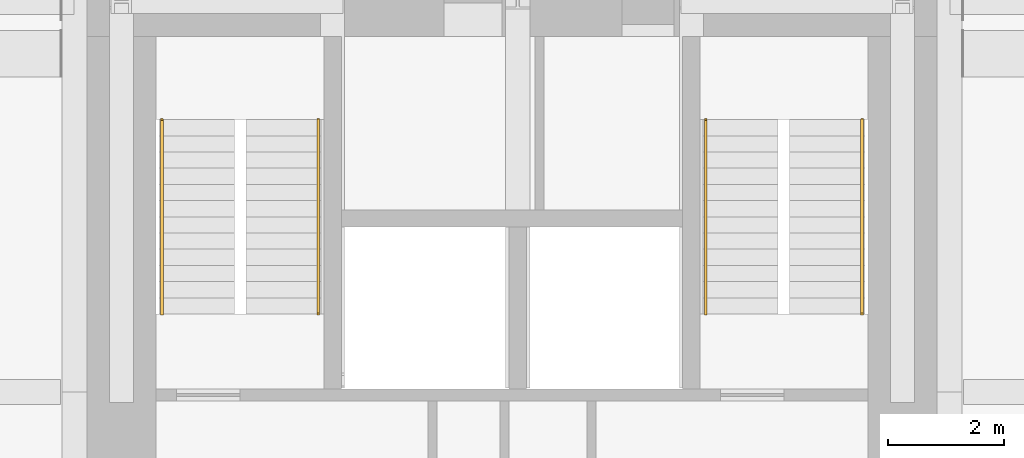
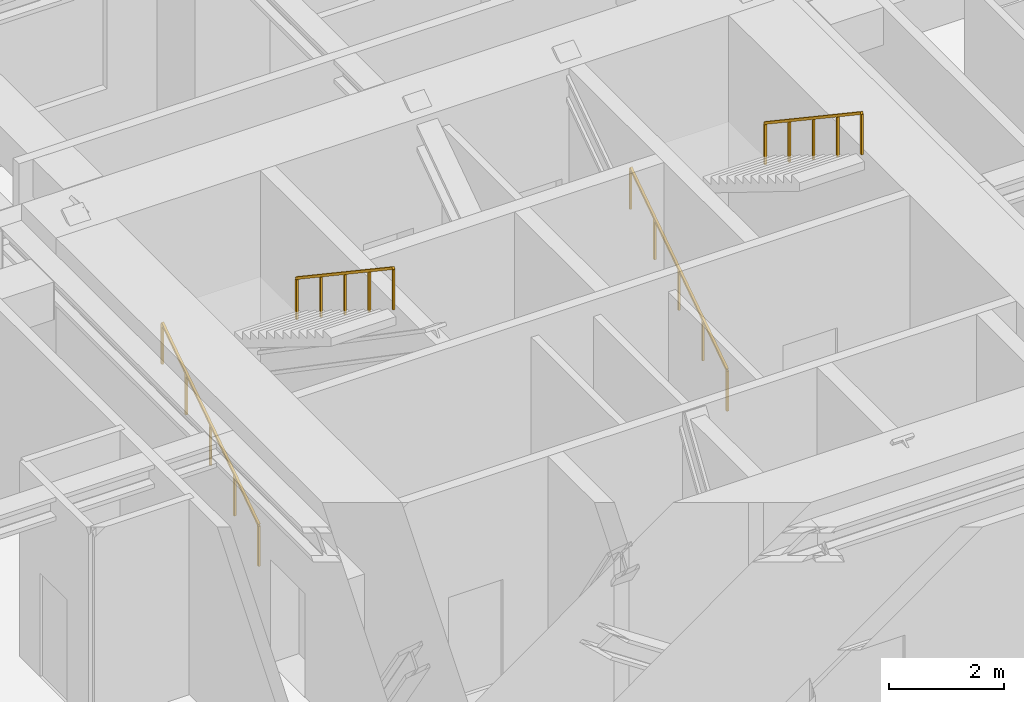
# One storey, part 6 of 6: 4 railings.
"""IFC4 building model written with IfcOpenShell, lengths in metres."""

import ifcopenshell
import ifcopenshell.guid

model = None  # the IFC model being written
_history = None  # IfcOwnerHistory: only IFC2X3 demands one
_inside = {}  # id of a spatial element -> (the spatial element, [elements in it])
_under = {}  # id of a project, library or spatial element -> (it, [spatial elements below it])
_declared = {}  # id of a project -> (the project, [libraries it declares])
_typed = {}  # id of a type object -> (the type object, [elements of that type])
_made_of = {}  # id of a material, layer set ... -> (it, [elements and type objects made of it])


def new_model(schema):
    """Start an empty IFC model of exactly this schema.

    Asked for "IFC4X3", IfcOpenShell would pick the latest addendum, in which some entities
    have other attributes; the version numbers below select the first issue.
    IFC2X3 requires an IfcOwnerHistory on every rooted entity: one is made here for all.
    """
    global model, _history
    if schema == "IFC4X3":
        model = ifcopenshell.file(schema_version=(4, 3, 0, 0))
    else:
        model = ifcopenshell.file(schema=schema)
    _inside.clear()
    _under.clear()
    _declared.clear()
    _typed.clear()
    _made_of.clear()
    _history = None
    if model.schema == "IFC2X3":
        org = make("IfcOrganization", Name="unknown")
        user = make(
            "IfcPersonAndOrganization",
            ThePerson=make("IfcPerson", FamilyName="unknown"),
            TheOrganization=org,
        )
        app = make(
            "IfcApplication",
            ApplicationDeveloper=org,
            Version="unknown",
            ApplicationFullName="unknown",
            ApplicationIdentifier="unknown",
        )
        _history = make(
            "IfcOwnerHistory",
            OwningUser=user,
            OwningApplication=app,
            ChangeAction="ADDED",
            CreationDate=0,
        )
    return model


def make(cls, **values):
    """One entity of the class cls with the attributes given. An attribute that is None is left unset."""
    return model.create_entity(
        cls, **{name: value for name, value in values.items() if value is not None}
    )


def rooted(cls, **values):
    """An entity with a GlobalId (a new one), such as an element, a storey or a relation."""
    return make(cls, GlobalId=ifcopenshell.guid.new(), OwnerHistory=_history, **values)


def si_unit(unit_type, name, prefix=None):
    """IfcSIUnit, for example si_unit("LENGTHUNIT", "METRE", prefix="MILLI")."""
    return make("IfcSIUnit", UnitType=unit_type, Prefix=prefix, Name=name)


def assignment(units):
    """IfcUnitAssignment: the units of a project."""
    return None if units is None else make("IfcUnitAssignment", Units=units)


def point(xyz):
    """IfcCartesianPoint."""
    return None if xyz is None else make("IfcCartesianPoint", Coordinates=xyz)


def direction(xyz):
    """IfcDirection."""
    return None if xyz is None else make("IfcDirection", DirectionRatios=xyz)


def frame(location, z_axis=None, x_axis=None):
    """IfcAxis2Placement3D, a coordinate frame: its origin and axes. An axis left out is left unset."""
    return make(
        "IfcAxis2Placement3D",
        Location=point(location),
        Axis=direction(z_axis),
        RefDirection=direction(x_axis),
    )


def frame_2d(location, x_axis=None):
    """IfcAxis2Placement2D, a coordinate frame in the plane: its origin and x axis."""
    return make(
        "IfcAxis2Placement2D", Location=point(location), RefDirection=direction(x_axis)
    )


def origin():
    """The frame at (0, 0, 0) with its axes left unset."""
    return frame((0.0, 0.0, 0.0))


def origin_2d():
    """The frame at (0, 0) in the plane with its x axis left unset."""
    return frame_2d((0.0, 0.0))


def place(relative_to, where):
    """IfcLocalPlacement: puts the frame where relative to a parent placement (None: the world)."""
    return make(
        "IfcLocalPlacement", PlacementRelTo=relative_to, RelativePlacement=where
    )


def context(
    kind, dimensions, precision=None, world=None, true_north=None, identifier=None
):
    """IfcGeometricRepresentationContext, for example the 3D "Model" context."""
    return make(
        "IfcGeometricRepresentationContext",
        ContextIdentifier=identifier,
        ContextType=kind,
        CoordinateSpaceDimension=dimensions,
        Precision=precision,
        WorldCoordinateSystem=world,
        TrueNorth=true_north,
    )


def subcontext(parent, identifier, kind, view, scale=None):
    """IfcGeometricRepresentationSubContext, for example "Body" below "Model"."""
    return make(
        "IfcGeometricRepresentationSubContext",
        ContextIdentifier=identifier,
        ContextType=kind,
        ParentContext=parent,
        TargetScale=scale,
        TargetView=view,
    )


def project(units=None, contexts=None):
    """IfcProject with its units and contexts."""
    return rooted(
        "IfcProject",
        Name="project",
        RepresentationContexts=contexts,
        UnitsInContext=assignment(units),
    )


def spatial(cls, under=None, at=None, **own):
    """A site, building, storey or space (cls), placed at a placement, below another one or the project."""
    s = rooted(cls, ObjectPlacement=at, **own)
    if under is not None:
        _under.setdefault(under.id(), (under, []))[1].append(s)
    return s


def profile(cls, at=None, kind="AREA", **sizes):
    """A parametric profile (cls). Its sizes go by their IFC names, for example OverallWidth=200.0."""
    return make(cls, ProfileType=kind, Position=at, **sizes)


def rectangle(**sizes):
    """IfcRectangleProfileDef."""
    return profile("IfcRectangleProfileDef", **sizes)


def extrude(swept, where, along, depth):
    """IfcExtrudedAreaSolid: the profile swept, set in the frame where, extruded along a direction by depth."""
    return make(
        "IfcExtrudedAreaSolid",
        SweptArea=swept,
        Position=where,
        ExtrudedDirection=direction(along),
        Depth=depth,
    )


def shape(context_of_items, identifier, shape_type, items):
    """IfcShapeRepresentation: the items that make up one representation, for example the "Body"."""
    return make(
        "IfcShapeRepresentation",
        ContextOfItems=context_of_items,
        RepresentationIdentifier=identifier,
        RepresentationType=shape_type,
        Items=items,
    )


def material(Name=None, Category=None):
    """IfcMaterial."""
    return make("IfcMaterial", Name=Name, Category=Category)


def made_of(thing, what):
    """Note that an element or type object is made of a material, layer set ...; save() writes the relation."""
    if what is not None:
        _made_of.setdefault(what.id(), (what, []))[1].append(thing)
    return thing


def type_object(cls, material=None, **own):
    """A type object (cls), such as IfcWallType, which elements share."""
    return made_of(rooted(cls, **own), material)


def element(
    cls,
    number,
    at=None,
    inside=None,
    cuts=None,
    type_object=None,
    material=None,
    context=None,
    identifier="Body",
    shape_type=None,
    held_by="IfcProductDefinitionShape",
    body=None,
    shapes=None,
    **own,
):
    """One element of the class cls, such as IfcWall. Its Tag is "e" and its number.

    at: its placement. inside: the storey or other place that contains it. cuts: it is an
    opening in that element (IfcRelVoidsElement). A single representation is given by context,
    identifier, shape_type and body (its items); several are given by shapes. held_by: the class
    of the entity that holds the representations. save() writes the other relations.
    """
    e = rooted(cls, Tag="e%d" % number, ObjectPlacement=at, **own)
    if body is not None:
        shapes = [shape(context, identifier, shape_type, body)]
    if shapes is not None:
        e.Representation = make(held_by, Representations=shapes)
    if inside is not None:
        _inside.setdefault(inside.id(), (inside, []))[1].append(e)
    if cuts is not None:
        rooted(
            "IfcRelVoidsElement", RelatingBuildingElement=cuts, RelatedOpeningElement=e
        )
    if type_object is not None:
        _typed.setdefault(type_object.id(), (type_object, []))[1].append(e)
    return made_of(e, material)


def aggregate(whole, parts):
    """IfcRelAggregates: a whole, such as a stair, and the parts it consists of."""
    return rooted("IfcRelAggregates", RelatingObject=whole, RelatedObjects=parts)


def save(model, path):
    """Write the relations noted so far, then the file.

    IfcRelAggregates (storeys below a building ...), IfcRelContainedInSpatialStructure (elements
    in a storey), IfcRelDefinesByType, IfcRelAssociatesMaterial and IfcRelDeclares: one each for
    every whole, place, type object, material and project.
    """
    for whole, parts in _under.values():
        aggregate(whole, parts)
    for where, things in _inside.values():
        rooted(
            "IfcRelContainedInSpatialStructure",
            RelatedElements=things,
            RelatingStructure=where,
        )
    for kind, things in _typed.values():
        rooted("IfcRelDefinesByType", RelatedObjects=things, RelatingType=kind)
    for what, things in _made_of.values():
        rooted("IfcRelAssociatesMaterial", RelatedObjects=things, RelatingMaterial=what)
    for by, libraries in _declared.values():
        rooted("IfcRelDeclares", RelatingContext=by, RelatedDefinitions=libraries)
    model.write(path)


model = new_model("IFC4")

# Units and contexts
model_context = context("Model", 3, precision=1e-05, world=origin(), true_north=direction((0.0, 1.0)))
body_context = subcontext(model_context, "Body", "Model", "MODEL_VIEW")
ifc_project = project(units=[si_unit("LENGTHUNIT", "METRE"), si_unit("AREAUNIT", "SQUARE_METRE"), si_unit("VOLUMEUNIT", "CUBIC_METRE"), si_unit("PLANEANGLEUNIT", "RADIAN"), si_unit("MASSUNIT", "GRAM", prefix="KILO")], contexts=[model_context])

# Site, building, storey
site_placement = place(None, origin())
site = spatial("IfcSite", under=ifc_project, at=site_placement, CompositionType="ELEMENT")
building_placement = place(site_placement, origin())
building = spatial("IfcBuilding", under=site, at=building_placement, Name="Nyansa Garden Tower", CompositionType="ELEMENT")
storey_placement = place(building_placement, frame((0.0, 0.0, 137.699951171875)))
storey = spatial("IfcBuildingStorey", under=building, at=storey_placement, Name="L37", CompositionType="ELEMENT", Elevation=137.699951171875)

# Railings
ifc_material = material(Name="Black powder-coated steel tube 48 mm", Category="steel")
railing_type = type_object("IfcRailingType", Name="Stair handrail HR1", PredefinedType="HANDRAIL", material=ifc_material)
railing_1_placement = place(storey_placement, frame((14.199951171875, 21.60009765625, 0.0)))
element("IfcRailing", 1, at=railing_1_placement, inside=storey, type_object=railing_type, Name="Stair S1 handrail L37", PredefinedType="HANDRAIL", context=body_context, shape_type="SweptSolid", body=[
    extrude(rectangle(XDim=0.048095703125, YDim=0.048095703125, at=origin_2d()), frame((0.0, 0.0, 0.8759765625), z_axis=(0.0, 0.830896709279, 0.556426687452), x_axis=(-1.0, 0.0, 0.0)), (0.0, 0.0, 1.0), 4.043701171875),
    extrude(rectangle(XDim=0.0419921875, YDim=0.0419921875, at=origin_2d()), origin(), (0.0, 0.0, 1.0), 0.851806640625),
    extrude(rectangle(XDim=0.0419921875, YDim=0.0419921875, at=origin_2d()), frame((0.0, 0.83984375, 0.5625)), (0.0, 0.0, 1.0), 0.851806640625),
    extrude(rectangle(XDim=0.0419921875, YDim=0.0419921875, at=origin_2d()), frame((0.0, 1.679931640625, 1.125)), (0.0, 0.0, 1.0), 0.851806640625),
    extrude(rectangle(XDim=0.0419921875, YDim=0.0419921875, at=origin_2d()), frame((0.0, 2.52001953125, 1.6875)), (0.0, 0.0, 1.0), 0.851806640625),
    extrude(rectangle(XDim=0.0419921875, YDim=0.0419921875, at=origin_2d()), frame((0.0, 3.35986328125, 2.25)), (0.0, 0.0, 1.0), 0.851806640625),
])
railing_2_placement = place(storey_placement, frame((16.89990234375, 24.9599609375, 2.25)))
element("IfcRailing", 2, at=railing_2_placement, inside=storey, type_object=railing_type, Name="Stair S1 handrail L37", PredefinedType="HANDRAIL", context=body_context, shape_type="SweptSolid", body=[
    extrude(rectangle(XDim=0.048095703125, YDim=0.048095703125, at=origin_2d()), frame((0.0, 0.0, 0.8759765625), z_axis=(0.0, -0.830896709279, 0.556426687452), x_axis=(1.0, 0.0, 0.0)), (0.0, 0.0, 1.0), 4.043701171875),
    extrude(rectangle(XDim=0.0419921875, YDim=0.0419921875, at=origin_2d()), origin(), (0.0, 0.0, 1.0), 0.851806640625),
    extrude(rectangle(XDim=0.0419921875, YDim=0.0419921875, at=origin_2d()), frame((0.0, -0.83984375, 0.5625)), (0.0, 0.0, 1.0), 0.851806640625),
    extrude(rectangle(XDim=0.0419921875, YDim=0.0419921875, at=origin_2d()), frame((0.0, -1.679931640625, 1.125)), (0.0, 0.0, 1.0), 0.851806640625),
    extrude(rectangle(XDim=0.0419921875, YDim=0.0419921875, at=origin_2d()), frame((0.0, -2.52001953125, 1.6875)), (0.0, 0.0, 1.0), 0.851806640625),
    extrude(rectangle(XDim=0.0419921875, YDim=0.0419921875, at=origin_2d()), frame((0.0, -3.35986328125, 2.25)), (0.0, 0.0, 1.0), 0.851806640625),
])
railing_3_placement = place(storey_placement, frame((23.60009765625, 21.60009765625, 0.0)))
element("IfcRailing", 3, at=railing_3_placement, inside=storey, type_object=railing_type, Name="Stair S2 handrail L37", PredefinedType="HANDRAIL", context=body_context, shape_type="SweptSolid", body=[
    extrude(rectangle(XDim=0.048095703125, YDim=0.048095703125, at=origin_2d()), frame((0.0, 0.0, 0.8759765625), z_axis=(0.0, 0.830896709279, 0.556426687452), x_axis=(-1.0, 0.0, 0.0)), (0.0, 0.0, 1.0), 4.043701171875),
    extrude(rectangle(XDim=0.0419921875, YDim=0.0419921875, at=origin_2d()), origin(), (0.0, 0.0, 1.0), 0.851806640625),
    extrude(rectangle(XDim=0.0419921875, YDim=0.0419921875, at=origin_2d()), frame((0.0, 0.83984375, 0.5625)), (0.0, 0.0, 1.0), 0.851806640625),
    extrude(rectangle(XDim=0.0419921875, YDim=0.0419921875, at=origin_2d()), frame((0.0, 1.679931640625, 1.125)), (0.0, 0.0, 1.0), 0.851806640625),
    extrude(rectangle(XDim=0.0419921875, YDim=0.0419921875, at=origin_2d()), frame((0.0, 2.52001953125, 1.6875)), (0.0, 0.0, 1.0), 0.851806640625),
    extrude(rectangle(XDim=0.0419921875, YDim=0.0419921875, at=origin_2d()), frame((0.0, 3.35986328125, 2.25)), (0.0, 0.0, 1.0), 0.851806640625),
])
railing_4_placement = place(storey_placement, frame((26.300048828125, 24.9599609375, 2.25)))
element("IfcRailing", 4, at=railing_4_placement, inside=storey, type_object=railing_type, Name="Stair S2 handrail L37", PredefinedType="HANDRAIL", context=body_context, shape_type="SweptSolid", body=[
    extrude(rectangle(XDim=0.048095703125, YDim=0.048095703125, at=origin_2d()), frame((0.0, 0.0, 0.8759765625), z_axis=(0.0, -0.830896709279, 0.556426687452), x_axis=(1.0, 0.0, 0.0)), (0.0, 0.0, 1.0), 4.043701171875),
    extrude(rectangle(XDim=0.0419921875, YDim=0.0419921875, at=origin_2d()), origin(), (0.0, 0.0, 1.0), 0.851806640625),
    extrude(rectangle(XDim=0.0419921875, YDim=0.0419921875, at=origin_2d()), frame((0.0, -0.83984375, 0.5625)), (0.0, 0.0, 1.0), 0.851806640625),
    extrude(rectangle(XDim=0.0419921875, YDim=0.0419921875, at=origin_2d()), frame((0.0, -1.679931640625, 1.125)), (0.0, 0.0, 1.0), 0.851806640625),
    extrude(rectangle(XDim=0.0419921875, YDim=0.0419921875, at=origin_2d()), frame((0.0, -2.52001953125, 1.6875)), (0.0, 0.0, 1.0), 0.851806640625),
    extrude(rectangle(XDim=0.0419921875, YDim=0.0419921875, at=origin_2d()), frame((0.0, -3.35986328125, 2.25)), (0.0, 0.0, 1.0), 0.851806640625),
])

save(model, "model.ifc")
